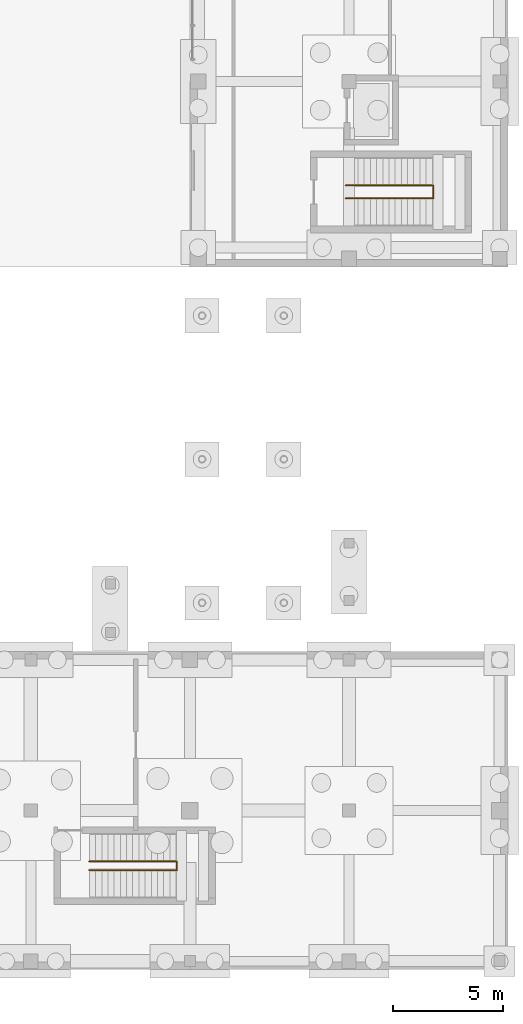
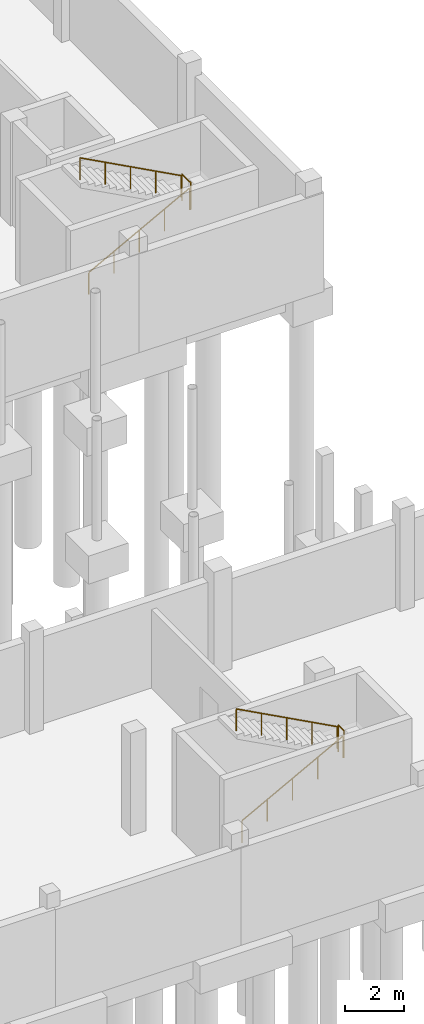
# One storey, part 39 of 41: 6 railings.
"""IFC4 building model written with IfcOpenShell, lengths in metres."""

from ifc_helpers import new_model, si_unit, direction, frame, origin, origin_2d, place, context, subcontext, project, spatial, circle, extrude, material, type_object, element, save


model = new_model("IFC4")

# Units and contexts
model_context = context("Model", 3, precision=1e-05, world=origin(), true_north=direction((0.0, 1.0)))
body_context = subcontext(model_context, "Body", "Model", "MODEL_VIEW")
ifc_project = project(units=[si_unit("LENGTHUNIT", "METRE"), si_unit("AREAUNIT", "SQUARE_METRE"), si_unit("VOLUMEUNIT", "CUBIC_METRE"), si_unit("PLANEANGLEUNIT", "RADIAN"), si_unit("MASSUNIT", "GRAM", prefix="KILO")], contexts=[model_context])

# Site, building, storey
site_placement = place(None, origin())
site = spatial("IfcSite", under=ifc_project, at=site_placement, CompositionType="ELEMENT")
building_placement = place(site_placement, origin())
building = spatial("IfcBuilding", under=site, at=building_placement, Name="Vardoun Plaza Health Centre", CompositionType="ELEMENT")
storey_placement = place(building_placement, frame((0.0, 0.0, -4.5)))
storey = spatial("IfcBuildingStorey", under=building, at=storey_placement, Name="B1", CompositionType="ELEMENT", Elevation=-4.5)

# Railings
ifc_material_1 = material(Name="Painted Steel S275JR Stair-Well Guardrail", Category="steel")
railing_type_1 = type_object("IfcRailingType", Name="GR-04", PredefinedType="GUARDRAIL", material=ifc_material_1)
railing_1_placement = place(storey_placement, frame((161.909912109375, 39.405029296875, 2.25)))
element("IfcRailing", 1, at=railing_1_placement, inside=storey, type_object=railing_type_1, Name="Stair ST-C10-B1 Mid-Landing Well Guard", PredefinedType="GUARDRAIL", context=body_context, shape_type="SweptSolid", body=[
    extrude(circle(Radius=0.02392578125, at=origin_2d()), frame((0.0, 0.0, 1.09619140625), z_axis=(0.0, 1.0, 0.0), x_axis=(-1.0, 0.0, 0.0)), (0.0, 0.0, 1.0), 0.590087890625),
    extrude(circle(Radius=0.02099609375, at=origin_2d()), origin(), (0.0, 0.0, 1.0), 1.072021484375),
    extrude(circle(Radius=0.02099609375, at=origin_2d()), frame((0.0, 0.590087890625, 0.0)), (0.0, 0.0, 1.0), 1.072021484375),
])
railing_2_placement = place(storey_placement, frame((150.31005859375, 9.0048828125, 2.25)))
element("IfcRailing", 2, at=railing_2_placement, inside=storey, type_object=railing_type_1, Name="Stair ST-C9-B1 Mid-Landing Well Guard", PredefinedType="GUARDRAIL", context=body_context, shape_type="SweptSolid", body=[
    extrude(circle(Radius=0.02392578125, at=origin_2d()), frame((0.0, 0.0, 1.09619140625), z_axis=(0.0, 1.0, 0.0), x_axis=(-1.0, 0.0, 0.0)), (0.0, 0.0, 1.0), 0.39013671875),
    extrude(circle(Radius=0.02099609375, at=origin_2d()), origin(), (0.0, 0.0, 1.0), 1.072021484375),
    extrude(circle(Radius=0.02099609375, at=origin_2d()), frame((0.0, 0.39013671875, 0.0)), (0.0, 0.0, 1.0), 1.072021484375),
])
ifc_material_2 = material(Name="Brushed Stainless Steel Grade 316L", Category="steel")
railing_type_2 = type_object("IfcRailingType", Name="HR-01", PredefinedType="HANDRAIL", material=ifc_material_2)
railing_3_placement = place(storey_placement, frame((157.949951171875, 39.405029296875, 0.14990234375)))
element("IfcRailing", 3, at=railing_3_placement, inside=storey, type_object=railing_type_2, Name="Stair ST-C10-B1 Flight 1 Handrail", PredefinedType="HANDRAIL", context=body_context, shape_type="SweptSolid", body=[
    extrude(circle(Radius=0.02392578125, at=origin_2d()), frame((0.0, 0.0, 0.89599609375), z_axis=(0.881479153919, 0.0, 0.472222935917), x_axis=(0.0, 1.0, 0.0)), (0.0, 0.0, 1.0), 4.447265625),
    extrude(circle(Radius=0.02099609375, at=origin_2d()), origin(), (0.0, 0.0, 1.0), 0.871826171875),
    extrude(circle(Radius=0.02099609375, at=origin_2d()), frame((0.97998046875, 0.0, 0.52490234375)), (0.0, 0.0, 1.0), 0.871826171875),
    extrude(circle(Radius=0.02099609375, at=origin_2d()), frame((1.9599609375, 0.0, 1.050048828125)), (0.0, 0.0, 1.0), 0.871826171875),
    extrude(circle(Radius=0.02099609375, at=origin_2d()), frame((2.940185546875, 0.0, 1.5751953125)), (0.0, 0.0, 1.0), 0.871826171875),
    extrude(circle(Radius=0.02099609375, at=origin_2d()), frame((3.920166015625, 0.0, 2.10009765625)), (0.0, 0.0, 1.0), 0.871826171875),
])
railing_4_placement = place(storey_placement, frame((161.8701171875, 39.9951171875, 2.39990234375)))
element("IfcRailing", 4, at=railing_4_placement, inside=storey, type_object=railing_type_2, Name="Stair ST-C10-B1 Flight 2 Handrail", PredefinedType="HANDRAIL", context=body_context, shape_type="SweptSolid", body=[
    extrude(circle(Radius=0.02392578125, at=origin_2d()), frame((0.0, 0.0, 0.89599609375), z_axis=(-0.881479153919, 0.0, 0.472222935917), x_axis=(0.0, -1.0, 0.0)), (0.0, 0.0, 1.0), 4.447265625),
    extrude(circle(Radius=0.02099609375, at=origin_2d()), origin(), (0.0, 0.0, 1.0), 0.871826171875),
    extrude(circle(Radius=0.02099609375, at=origin_2d()), frame((-0.97998046875, 0.0, 0.52490234375)), (0.0, 0.0, 1.0), 0.871826171875),
    extrude(circle(Radius=0.02099609375, at=origin_2d()), frame((-1.9599609375, 0.0, 1.050048828125)), (0.0, 0.0, 1.0), 0.871826171875),
    extrude(circle(Radius=0.02099609375, at=origin_2d()), frame((-2.940185546875, 0.0, 1.5751953125)), (0.0, 0.0, 1.0), 0.871826171875),
    extrude(circle(Radius=0.02099609375, at=origin_2d()), frame((-3.920166015625, 0.0, 2.10009765625)), (0.0, 0.0, 1.0), 0.871826171875),
])
railing_5_placement = place(storey_placement, frame((146.35009765625, 9.0048828125, 0.14990234375)))
element("IfcRailing", 5, at=railing_5_placement, inside=storey, type_object=railing_type_2, Name="Stair ST-C9-B1 Flight 1 Handrail", PredefinedType="HANDRAIL", context=body_context, shape_type="SweptSolid", body=[
    extrude(circle(Radius=0.02392578125, at=origin_2d()), frame((0.0, 0.0, 0.89599609375), z_axis=(0.881466911329, 0.0, 0.472245787945), x_axis=(0.0, 1.0, 0.0)), (0.0, 0.0, 1.0), 4.447021484375),
    extrude(circle(Radius=0.02099609375, at=origin_2d()), origin(), (0.0, 0.0, 1.0), 0.871826171875),
    extrude(circle(Radius=0.02099609375, at=origin_2d()), frame((0.97998046875, 0.0, 0.52490234375)), (0.0, 0.0, 1.0), 0.871826171875),
    extrude(circle(Radius=0.02099609375, at=origin_2d()), frame((1.9599609375, 0.0, 1.050048828125)), (0.0, 0.0, 1.0), 0.871826171875),
    extrude(circle(Radius=0.02099609375, at=origin_2d()), frame((2.93994140625, 0.0, 1.5751953125)), (0.0, 0.0, 1.0), 0.871826171875),
    extrude(circle(Radius=0.02099609375, at=origin_2d()), frame((3.919921875, 0.0, 2.10009765625)), (0.0, 0.0, 1.0), 0.871826171875),
])
railing_6_placement = place(storey_placement, frame((150.27001953125, 9.39501953125, 2.39990234375)))
element("IfcRailing", 6, at=railing_6_placement, inside=storey, type_object=railing_type_2, Name="Stair ST-C9-B1 Flight 2 Handrail", PredefinedType="HANDRAIL", context=body_context, shape_type="SweptSolid", body=[
    extrude(circle(Radius=0.02392578125, at=origin_2d()), frame((0.0, 0.0, 0.89599609375), z_axis=(-0.881466911329, 0.0, 0.472245787945), x_axis=(0.0, -1.0, 0.0)), (0.0, 0.0, 1.0), 4.447021484375),
    extrude(circle(Radius=0.02099609375, at=origin_2d()), origin(), (0.0, 0.0, 1.0), 0.871826171875),
    extrude(circle(Radius=0.02099609375, at=origin_2d()), frame((-0.97998046875, 0.0, 0.52490234375)), (0.0, 0.0, 1.0), 0.871826171875),
    extrude(circle(Radius=0.02099609375, at=origin_2d()), frame((-1.9599609375, 0.0, 1.050048828125)), (0.0, 0.0, 1.0), 0.871826171875),
    extrude(circle(Radius=0.02099609375, at=origin_2d()), frame((-2.93994140625, 0.0, 1.5751953125)), (0.0, 0.0, 1.0), 0.871826171875),
    extrude(circle(Radius=0.02099609375, at=origin_2d()), frame((-3.919921875, 0.0, 2.10009765625)), (0.0, 0.0, 1.0), 0.871826171875),
])

save(model, "model.ifc")
